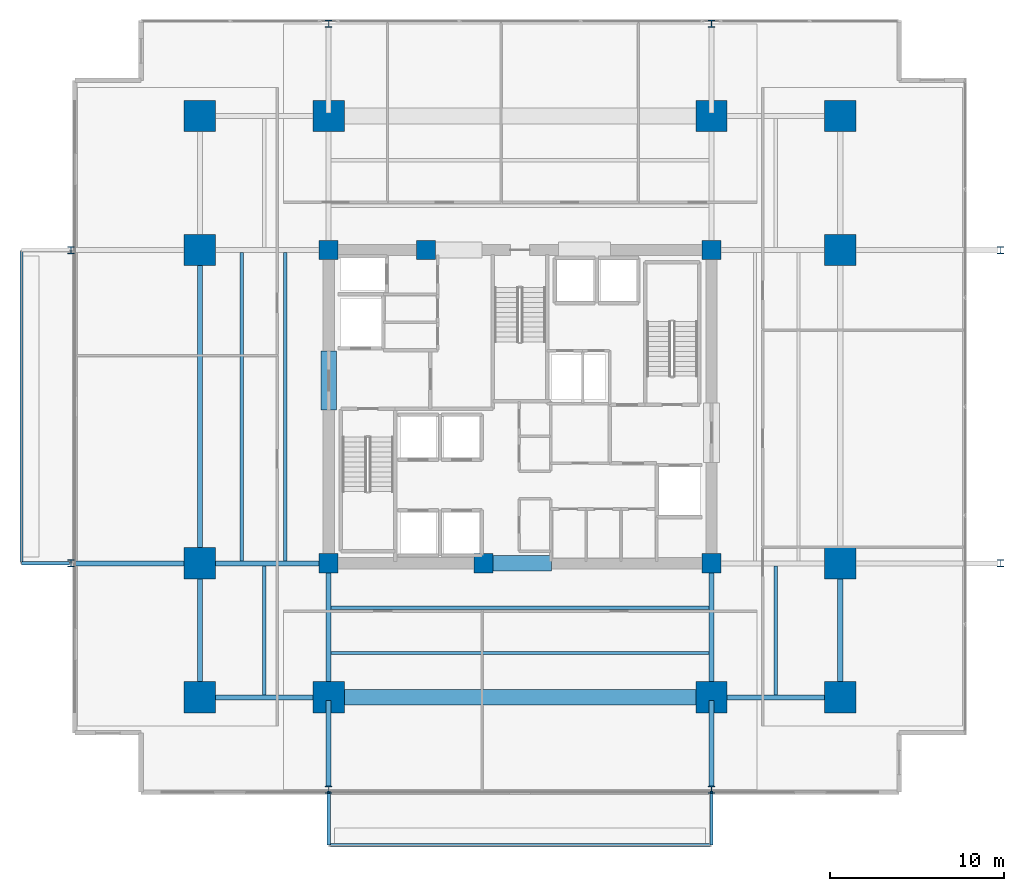
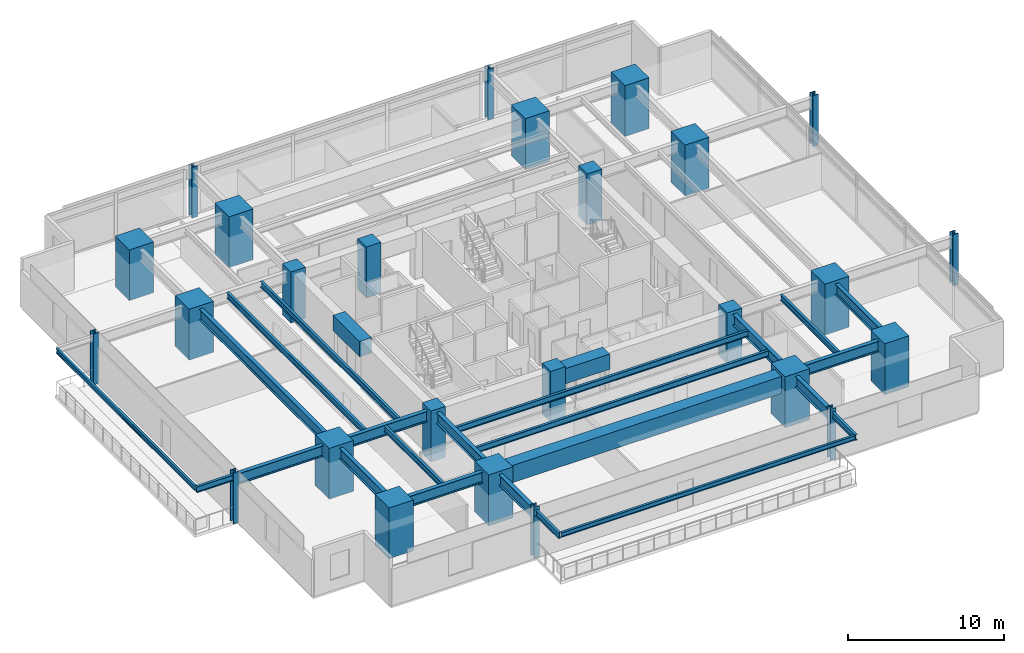
# One storey, part 1 of 22: 26 columns, 25 beams.
"""IFC4 building model written with IfcOpenShell, lengths in metres."""

from ifc_helpers import new_model, si_unit, direction, frame, origin, origin_2d, place, context, subcontext, project, spatial, rectangle, i_section, extrude, material, material_profile, profile_set, type_object, element, save


model = new_model("IFC4")

# Units and contexts
model_context = context("Model", 3, precision=1e-05, world=origin(), true_north=direction((0.0, 1.0)))
body_context = subcontext(model_context, "Body", "Model", "MODEL_VIEW")
ifc_project = project(units=[si_unit("LENGTHUNIT", "METRE"), si_unit("AREAUNIT", "SQUARE_METRE"), si_unit("VOLUMEUNIT", "CUBIC_METRE"), si_unit("PLANEANGLEUNIT", "RADIAN"), si_unit("MASSUNIT", "GRAM", prefix="KILO")], contexts=[model_context])

# Site, building, storey
site_placement = place(None, origin())
site = spatial("IfcSite", under=ifc_project, at=site_placement, CompositionType="ELEMENT")
building_placement = place(site_placement, origin())
building = spatial("IfcBuilding", under=site, at=building_placement, Name="Kovane Verandah Tower", CompositionType="ELEMENT")
storey_placement = place(building_placement, frame((0.0, 0.0, 51.60009765625)))
storey = spatial("IfcBuildingStorey", under=building, at=storey_placement, Name="L11", CompositionType="ELEMENT", Elevation=51.60009765625)

# Columns
ifc_material_1 = material(Name="Concrete C80/95", Category="concrete")
ifc_material_profile_1 = material_profile(ifc_material_1, rectangle(XDim=1.800048828125, YDim=1.800048828125, at=origin_2d()), Name="RC1800x1800")
ifc_profile_set_1 = profile_set([ifc_material_profile_1], Name="Concrete C80/95")
column_type_1 = type_object("IfcColumnType", Name="COL-RC1800", PredefinedType="COLUMN", material=ifc_profile_set_1)
for number, where, z_axis, x_axis, name in (
    (1, (29.0, 10.800048828125, 0.0), (0.0, 0.0, 1.0), (1.0, 0.0, 0.0), "L11 Tower Mega-Column MC-S1"),
    (2, (51.0, 10.800048828125, 0.0), (0.0, 0.0, 1.0), (1.0, 0.0, 0.0), "L11 Tower Mega-Column MC-S2"),
    (3, (29.0, 44.199951171875, 0.0), (0.0, 0.0, 1.0), (1.0, 0.0, 0.0), "L11 Tower Mega-Column MC-N1"),
    (4, (51.0, 44.199951171875, 0.0), (0.0, 0.0, 1.0), (1.0, 0.0, 0.0), "L11 Tower Mega-Column MC-N2"),
    (5, (21.60009765625, 18.5, 0.0), (0.0, 0.0, 1.0), (1.0, 0.0, 0.0), "L11 Tower Mega-Column MC-W1"),
    (6, (21.60009765625, 36.5, 0.0), (0.0, 0.0, 1.0), (1.0, 0.0, 0.0), "L11 Tower Mega-Column MC-W2"),
    (7, (58.39990234375, 18.5, 0.0), (0.0, 0.0, 1.0), (1.0, 0.0, 0.0), "L11 Tower Mega-Column MC-E1"),
    (8, (58.39990234375, 36.5, 0.0), (0.0, 0.0, 1.0), (1.0, 0.0, 0.0), "L11 Tower Mega-Column MC-E2"),
    (9, (21.60009765625, 10.800048828125, 0.0), (0.0, 0.0, 1.0), (1.0, 0.0, 0.0), "L11 Tower Mega-Column MC-SW"),
    (10, (58.39990234375, 10.800048828125, 0.0), (0.0, 0.0, 1.0), (1.0, 0.0, 0.0), "L11 Tower Mega-Column MC-SE"),
    (11, (21.60009765625, 44.199951171875, 0.0), (0.0, 0.0, 1.0), (1.0, 0.0, 0.0), "L11 Tower Mega-Column MC-NW"),
    (12, (58.39990234375, 44.199951171875, 0.0), (0.0, 0.0, 1.0), (1.0, 0.0, 0.0), "L11 Tower Mega-Column MC-NE"),
):
    element("IfcColumn", number, at=place(storey_placement, frame(where, z_axis=z_axis, x_axis=x_axis)), inside=storey, type_object=column_type_1, Name=name, PredefinedType="COLUMN", context=body_context, shape_type="SweptSolid", body=[
        extrude(rectangle(XDim=1.800048828125, YDim=1.800048828125, at=origin_2d()), origin(), (0.0, 0.0, 1.0), 4.0),
    ])
ifc_material_2 = material(Name="Steel S460", Category="steel")
ifc_material_profile_2 = material_profile(ifc_material_2, i_section(OverallWidth=0.412109375, OverallDepth=0.4365234375, WebThickness=0.035888671875, FlangeThickness=0.05810546875, FilletRadius=0.01513671875, at=origin_2d()), Name="UC356x406x467")
ifc_profile_set_2 = profile_set([ifc_material_profile_2], Name="Steel S460")
column_type_2 = type_object("IfcColumnType", Name="COL-UC467", PredefinedType="COLUMN", material=ifc_profile_set_2)
for number, where, z_axis, x_axis, name in (
    (13, (14.199951171875, 18.5, 0.0), (0.0, 0.0, 1.0), (1.0, 0.0, 0.0), "L11 Verandah Perimeter Column VC-W1"),
    (14, (14.199951171875, 36.5, 0.0), (0.0, 0.0, 1.0), (1.0, 0.0, 0.0), "L11 Verandah Perimeter Column VC-W2"),
    (15, (67.60009765625, 18.5, 0.0), (0.0, 0.0, 1.0), (1.0, 0.0, 0.0), "L11 Verandah Perimeter Column VC-E1"),
    (16, (67.60009765625, 36.5, 0.0), (0.0, 0.0, 1.0), (1.0, 0.0, 0.0), "L11 Verandah Perimeter Column VC-E2"),
    (17, (29.0, 5.5, 0.0), (0.0, 0.0, 1.0), (1.0, 0.0, 0.0), "L11 Verandah Perimeter Column VC-S1"),
    (18, (51.0, 5.5, 0.0), (0.0, 0.0, 1.0), (1.0, 0.0, 0.0), "L11 Verandah Perimeter Column VC-S2"),
    (19, (29.0, 49.5, 0.0), (0.0, 0.0, 1.0), (1.0, 0.0, 0.0), "L11 Verandah Perimeter Column VC-N1"),
    (20, (51.0, 49.5, 0.0), (0.0, 0.0, 1.0), (1.0, 0.0, 0.0), "L11 Verandah Perimeter Column VC-N2"),
):
    element("IfcColumn", number, at=place(storey_placement, frame(where, z_axis=z_axis, x_axis=x_axis)), inside=storey, type_object=column_type_2, Name=name, PredefinedType="COLUMN", context=body_context, shape_type="SweptSolid", body=[
        extrude(i_section(OverallWidth=0.412109375, OverallDepth=0.4365234375, WebThickness=0.035888671875, FlangeThickness=0.05810546875, FilletRadius=0.01513671875, at=origin_2d()), origin(), (0.0, 0.0, 1.0), 4.0),
    ])
ifc_material_profile_3 = material_profile(ifc_material_1, rectangle(XDim=1.10009765625, YDim=1.10009765625, at=origin_2d()), Name="RC1100x1100")
ifc_profile_set_3 = profile_set([ifc_material_profile_3], Name="Concrete C80/95")
column_type_3 = type_object("IfcColumnType", Name="PIL-RC1100", PredefinedType="PILASTER", material=ifc_profile_set_3)
for number, where, z_axis, x_axis, name in (
    (21, (29.0, 18.5, 0.0), (0.0, 0.0, 1.0), (1.0, 0.0, 0.0), "L11 Core Pilaster CP-SW"),
    (22, (51.0, 18.5, 0.0), (0.0, 0.0, 1.0), (1.0, 0.0, 0.0), "L11 Core Pilaster CP-SE"),
    (23, (29.0, 36.5, 0.0), (0.0, 0.0, 1.0), (1.0, 0.0, 0.0), "L11 Core Pilaster CP-NW"),
    (24, (51.0, 36.5, 0.0), (0.0, 0.0, 1.0), (1.0, 0.0, 0.0), "L11 Core Pilaster CP-NE"),
    (25, (37.89990234375, 18.5, 0.0), (0.0, 0.0, 1.0), (1.0, 0.0, 0.0), "L11 Core Pilaster CP-S"),
    (26, (34.60009765625, 36.5, 0.0), (0.0, 0.0, 1.0), (1.0, 0.0, 0.0), "L11 Core Pilaster CP-N"),
):
    element("IfcColumn", number, at=place(storey_placement, frame(where, z_axis=z_axis, x_axis=x_axis)), inside=storey, type_object=column_type_3, Name=name, PredefinedType="PILASTER", context=body_context, shape_type="SweptSolid", body=[
        extrude(rectangle(XDim=1.10009765625, YDim=1.10009765625, at=origin_2d()), origin(), (0.0, 0.0, 1.0), 4.0),
    ])

# Beams
ifc_material_profile_4 = material_profile(ifc_material_1, rectangle(XDim=0.89990234375, YDim=1.199951171875, at=origin_2d()), Name="RCB900x1200")
ifc_profile_set_4 = profile_set([ifc_material_profile_4], Name="Concrete C80/95")
beam_type_1 = type_object("IfcBeamType", Name="BM-LINTEL-900x1200", PredefinedType="LINTEL", material=ifc_profile_set_4)
beam_1_placement = place(storey_placement, frame((38.199951171875, 18.5, 3.159912109375), z_axis=(1.0, 0.0, 0.0), x_axis=(0.0, 1.0, 0.0)))
element("IfcBeam", 27, at=beam_1_placement, inside=storey, type_object=beam_type_1, Name="L11 Core Coupling Lintel CL-S", PredefinedType="LINTEL", context=body_context, shape_type="SweptSolid", body=[
    extrude(rectangle(XDim=0.89990234375, YDim=1.199951171875, at=origin_2d()), origin(), (0.0, 0.0, 1.0), 3.60009765625),
])
beam_2_placement = place(storey_placement, frame((29.0, 27.300048828125, 3.159912109375), z_axis=(0.0, 1.0, 0.0), x_axis=(-1.0, 0.0, 0.0)))
element("IfcBeam", 28, at=beam_2_placement, inside=storey, type_object=beam_type_1, Name="L11 Core Coupling Lintel CL-W", PredefinedType="LINTEL", context=body_context, shape_type="SweptSolid", body=[
    extrude(rectangle(XDim=0.89990234375, YDim=1.199951171875, at=origin_2d()), origin(), (0.0, 0.0, 1.0), 3.39990234375),
])
ifc_material_profile_5 = material_profile(ifc_material_1, rectangle(XDim=0.89990234375, YDim=1.35009765625, at=origin_2d()), Name="RCB900x1350")
ifc_profile_set_5 = profile_set([ifc_material_profile_5], Name="Concrete C80/95")
beam_type_2 = type_object("IfcBeamType", Name="BM-TR-900x1350", PredefinedType="BEAM", material=ifc_profile_set_5)
beam_3_placement = place(storey_placement, frame((29.179931640625, 10.800048828125, 3.0849609375), z_axis=(1.0, 0.0, 0.0), x_axis=(0.0, 1.0, 0.0)))
element("IfcBeam", 29, at=beam_3_placement, inside=storey, type_object=beam_type_2, Name="L11 Primary Tower Girder G-RS2", PredefinedType="BEAM", context=body_context, shape_type="SweptSolid", body=[
    extrude(rectangle(XDim=0.89990234375, YDim=1.35009765625, at=origin_2d()), origin(), (0.0, 0.0, 1.0), 21.64013671875),
])
ifc_material_3 = material(Name="Steel S355", Category="steel")
ifc_material_profile_6 = material_profile(ifc_material_3, i_section(OverallWidth=0.293701171875, OverallDepth=0.850830078125, WebThickness=0.01611328125, FlangeThickness=0.02685546875, FilletRadius=0.017822265625, at=origin_2d()), Name="UB838x292x226")
ifc_profile_set_6 = profile_set([ifc_material_profile_6], Name="Steel S355")
beam_type_3 = type_object("IfcBeamType", Name="BM-UB838x226", PredefinedType="BEAM", material=ifc_profile_set_6)
for number, where, z_axis, x_axis, name in (
    (30, (21.780029296875, 10.800048828125, 3.33447265625), (1.0, 0.0, 0.0), (0.0, 1.0, 0.0), "L11 Primary Tower Girder G-RS1"),
    (31, (51.179931640625, 10.800048828125, 3.33447265625), (1.0, 0.0, 0.0), (0.0, 1.0, 0.0), "L11 Primary Tower Girder G-RS3"),
):
    element("IfcBeam", number, at=place(storey_placement, frame(where, z_axis=z_axis, x_axis=x_axis)), inside=storey, type_object=beam_type_3, Name=name, PredefinedType="BEAM", context=body_context, shape_type="SweptSolid", body=[
        extrude(i_section(OverallWidth=0.293701171875, OverallDepth=0.850830078125, WebThickness=0.01611328125, FlangeThickness=0.02685546875, FilletRadius=0.017822265625, at=origin_2d()), origin(), (0.0, 0.0, 1.0), 7.0400390625),
    ])
beam_4_placement = place(storey_placement, frame((21.60009765625, 10.97998046875, 3.33447265625), z_axis=(0.0, 1.0, 0.0), x_axis=(-1.0, 0.0, 0.0)))
element("IfcBeam", 32, at=beam_4_placement, inside=storey, type_object=beam_type_3, Name="L11 Primary Tower Girder G-RW1", PredefinedType="BEAM", context=body_context, shape_type="SweptSolid", body=[
    extrude(i_section(OverallWidth=0.293701171875, OverallDepth=0.850830078125, WebThickness=0.01611328125, FlangeThickness=0.02685546875, FilletRadius=0.017822265625, at=origin_2d()), origin(), (0.0, 0.0, 1.0), 7.340087890625),
])
beam_5_placement = place(storey_placement, frame((21.60009765625, 18.679931640625, 3.33447265625), z_axis=(0.0, 1.0, 0.0), x_axis=(-1.0, 0.0, 0.0)))
element("IfcBeam", 33, at=beam_5_placement, inside=storey, type_object=beam_type_3, Name="L11 Primary Tower Girder G-RW2", PredefinedType="BEAM", context=body_context, shape_type="SweptSolid", body=[
    extrude(i_section(OverallWidth=0.293701171875, OverallDepth=0.850830078125, WebThickness=0.01611328125, FlangeThickness=0.02685546875, FilletRadius=0.017822265625, at=origin_2d()), origin(), (0.0, 0.0, 1.0), 17.64013671875),
])
beam_6_placement = place(storey_placement, frame((58.39990234375, 10.97998046875, 3.33447265625), z_axis=(0.0, 1.0, 0.0), x_axis=(-1.0, 0.0, 0.0)))
element("IfcBeam", 34, at=beam_6_placement, inside=storey, type_object=beam_type_3, Name="L11 Primary Tower Girder G-RE1", PredefinedType="BEAM", context=body_context, shape_type="SweptSolid", body=[
    extrude(i_section(OverallWidth=0.293701171875, OverallDepth=0.850830078125, WebThickness=0.01611328125, FlangeThickness=0.02685546875, FilletRadius=0.017822265625, at=origin_2d()), origin(), (0.0, 0.0, 1.0), 7.340087890625),
])
beam_7_placement = place(storey_placement, frame((28.820068359375, 18.5, 3.33447265625), z_axis=(-1.0, 0.0, 0.0), x_axis=(0.0, -1.0, 0.0)))
element("IfcBeam", 35, at=beam_7_placement, inside=storey, type_object=beam_type_3, Name="L11 Primary Tower Girder G-W1", PredefinedType="BEAM", context=body_context, shape_type="SweptSolid", body=[
    extrude(i_section(OverallWidth=0.293701171875, OverallDepth=0.850830078125, WebThickness=0.01611328125, FlangeThickness=0.02685546875, FilletRadius=0.017822265625, at=origin_2d()), origin(), (0.0, 0.0, 1.0), 7.0400390625),
])
for number, where, z_axis, x_axis, name in (
    (36, (29.0, 18.320068359375, 3.33447265625), (0.0, -1.0, 0.0), (1.0, 0.0, 0.0), "L11 Primary Tower Girder G-S1"),
    (37, (51.0, 18.320068359375, 3.33447265625), (0.0, -1.0, 0.0), (1.0, 0.0, 0.0), "L11 Primary Tower Girder G-S2"),
):
    element("IfcBeam", number, at=place(storey_placement, frame(where, z_axis=z_axis, x_axis=x_axis)), inside=storey, type_object=beam_type_3, Name=name, PredefinedType="BEAM", context=body_context, shape_type="SweptSolid", body=[
        extrude(i_section(OverallWidth=0.293701171875, OverallDepth=0.850830078125, WebThickness=0.01611328125, FlangeThickness=0.02685546875, FilletRadius=0.017822265625, at=origin_2d()), origin(), (0.0, 0.0, 1.0), 7.340087890625),
    ])
beam_8_placement = place(storey_placement, frame((21.419921875, 18.5, 3.33447265625), z_axis=(-1.0, 0.0, 0.0), x_axis=(0.0, -1.0, 0.0)))
element("IfcBeam", 38, at=beam_8_placement, inside=storey, type_object=beam_type_3, Name="L11 Primary Tower Girder G-VW1", PredefinedType="BEAM", context=body_context, shape_type="SweptSolid", body=[
    extrude(i_section(OverallWidth=0.293701171875, OverallDepth=0.850830078125, WebThickness=0.01611328125, FlangeThickness=0.02685546875, FilletRadius=0.017822265625, at=origin_2d()), origin(), (0.0, 0.0, 1.0), 7.0400390625),
])
for number, where, z_axis, x_axis, name in (
    (39, (29.0, 10.6201171875, 3.33447265625), (0.0, -1.0, 0.0), (1.0, 0.0, 0.0), "L11 Primary Tower Girder G-VS1"),
    (40, (51.0, 10.6201171875, 3.33447265625), (0.0, -1.0, 0.0), (1.0, 0.0, 0.0), "L11 Primary Tower Girder G-VS2"),
):
    element("IfcBeam", number, at=place(storey_placement, frame(where, z_axis=z_axis, x_axis=x_axis)), inside=storey, type_object=beam_type_3, Name=name, PredefinedType="BEAM", context=body_context, shape_type="SweptSolid", body=[
        extrude(i_section(OverallWidth=0.293701171875, OverallDepth=0.850830078125, WebThickness=0.01611328125, FlangeThickness=0.02685546875, FilletRadius=0.017822265625, at=origin_2d()), origin(), (0.0, 0.0, 1.0), 4.940185546875),
    ])
ifc_material_profile_7 = material_profile(ifc_material_3, i_section(OverallWidth=0.19287109375, OverallDepth=0.46728515625, WebThickness=0.011474609375, FlangeThickness=0.01953125, FilletRadius=0.01025390625, at=origin_2d()), Name="UB457x191x98")
ifc_profile_set_7 = profile_set([ifc_material_profile_7], Name="Steel S355")
beam_type_4 = type_object("IfcBeamType", Name="JST-UB457x98", PredefinedType="JOIST", material=ifc_profile_set_7)
for number, where, z_axis, x_axis, name in (
    (41, (29.14501953125, 13.35009765625, 3.5263671875), (1.0, 0.0, 0.0), (0.0, 1.0, 0.0), "L11 Secondary Composite Joist J-S1"),
    (42, (29.14501953125, 15.949951171875, 3.5263671875), (1.0, 0.0, 0.0), (0.0, 1.0, 0.0), "L11 Secondary Composite Joist J-S2"),
):
    element("IfcBeam", number, at=place(storey_placement, frame(where, z_axis=z_axis, x_axis=x_axis)), inside=storey, type_object=beam_type_4, Name=name, PredefinedType="JOIST", context=body_context, shape_type="SweptSolid", body=[
        extrude(i_section(OverallWidth=0.19287109375, OverallDepth=0.46728515625, WebThickness=0.011474609375, FlangeThickness=0.01953125, FilletRadius=0.01025390625, at=origin_2d()), origin(), (0.0, 0.0, 1.0), 21.7099609375),
    ])
for number, where, z_axis, x_axis, name in (
    (43, (24.0, 18.64501953125, 3.5263671875), (0.0, 1.0, 0.0), (-1.0, 0.0, 0.0), "L11 Secondary Composite Joist J-W1"),
    (44, (26.5, 18.64501953125, 3.5263671875), (0.0, 1.0, 0.0), (-1.0, 0.0, 0.0), "L11 Secondary Composite Joist J-W2"),
):
    element("IfcBeam", number, at=place(storey_placement, frame(where, z_axis=z_axis, x_axis=x_axis)), inside=storey, type_object=beam_type_4, Name=name, PredefinedType="JOIST", context=body_context, shape_type="SweptSolid", body=[
        extrude(i_section(OverallWidth=0.19287109375, OverallDepth=0.46728515625, WebThickness=0.011474609375, FlangeThickness=0.01953125, FilletRadius=0.01025390625, at=origin_2d()), origin(), (0.0, 0.0, 1.0), 17.7099609375),
    ])
for number, where, z_axis, x_axis, name in (
    (45, (25.300048828125, 10.94482421875, 3.5263671875), (0.0, 1.0, 0.0), (-1.0, 0.0, 0.0), "L11 Secondary Composite Joist J-SW1"),
    (46, (54.699951171875, 10.94482421875, 3.5263671875), (0.0, 1.0, 0.0), (-1.0, 0.0, 0.0), "L11 Secondary Composite Joist J-SE1"),
):
    element("IfcBeam", number, at=place(storey_placement, frame(where, z_axis=z_axis, x_axis=x_axis)), inside=storey, type_object=beam_type_4, Name=name, PredefinedType="JOIST", context=body_context, shape_type="SweptSolid", body=[
        extrude(i_section(OverallWidth=0.19287109375, OverallDepth=0.46728515625, WebThickness=0.011474609375, FlangeThickness=0.01953125, FilletRadius=0.01025390625, at=origin_2d()), origin(), (0.0, 0.0, 1.0), 7.41015625),
    ])
for number, where, z_axis, x_axis, name in (
    (47, (29.0, 5.419921875, 3.5263671875), (0.0, -1.0, 0.0), (1.0, 0.0, 0.0), "L11 South Planter Girder 1"),
    (48, (51.0, 5.419921875, 3.5263671875), (0.0, -1.0, 0.0), (1.0, 0.0, 0.0), "L11 South Planter Girder 2"),
):
    element("IfcBeam", number, at=place(storey_placement, frame(where, z_axis=z_axis, x_axis=x_axis)), inside=storey, type_object=beam_type_4, Name=name, PredefinedType="JOIST", context=body_context, shape_type="SweptSolid", body=[
        extrude(i_section(OverallWidth=0.19287109375, OverallDepth=0.46728515625, WebThickness=0.011474609375, FlangeThickness=0.01953125, FilletRadius=0.01025390625, at=origin_2d()), origin(), (0.0, 0.0, 1.0), 3.09716796875),
    ])
beam_9_placement = place(storey_placement, frame((14.1201171875, 18.5, 3.5263671875), z_axis=(-1.0, 0.0, 0.0), x_axis=(0.0, -1.0, 0.0)))
element("IfcBeam", 49, at=beam_9_placement, inside=storey, type_object=beam_type_4, Name="L11 West Planter Girder 1", PredefinedType="JOIST", context=body_context, shape_type="SweptSolid", body=[
    extrude(i_section(OverallWidth=0.19287109375, OverallDepth=0.46728515625, WebThickness=0.011474609375, FlangeThickness=0.01953125, FilletRadius=0.01025390625, at=origin_2d()), origin(), (0.0, 0.0, 1.0), 2.76611328125),
])
ifc_material_profile_8 = material_profile(ifc_material_3, i_section(OverallWidth=0.173095703125, OverallDepth=0.36328125, WebThickness=0.009033203125, FlangeThickness=0.015625, FilletRadius=0.01025390625, at=origin_2d()), Name="UB356x171x67")
ifc_profile_set_8 = profile_set([ifc_material_profile_8], Name="Steel S355")
beam_type_5 = type_object("IfcBeamType", Name="SPD-UB356x67", PredefinedType="USERDEFINED", material=ifc_profile_set_8)
beam_10_placement = place(storey_placement, frame((29.094482421875, 2.32275390625, 3.578125), z_axis=(1.0, 0.0, 0.0), x_axis=(0.0, 1.0, 0.0)))
element("IfcBeam", 50, at=beam_10_placement, inside=storey, type_object=beam_type_5, Name="L11 South Planter Edge Spandrel", ObjectType="SPANDREL", PredefinedType="USERDEFINED", context=body_context, shape_type="SweptSolid", body=[
    extrude(i_section(OverallWidth=0.173095703125, OverallDepth=0.36328125, WebThickness=0.009033203125, FlangeThickness=0.015625, FilletRadius=0.01025390625, at=origin_2d()), origin(), (0.0, 0.0, 1.0), 21.81103515625),
])
beam_11_placement = place(storey_placement, frame((11.35400390625, 18.594482421875, 3.578125), z_axis=(0.0, 1.0, 0.0), x_axis=(-1.0, 0.0, 0.0)))
element("IfcBeam", 51, at=beam_11_placement, inside=storey, type_object=beam_type_5, Name="L11 West Planter Edge Spandrel", ObjectType="SPANDREL", PredefinedType="USERDEFINED", context=body_context, shape_type="SweptSolid", body=[
    extrude(i_section(OverallWidth=0.173095703125, OverallDepth=0.36328125, WebThickness=0.009033203125, FlangeThickness=0.015625, FilletRadius=0.01025390625, at=origin_2d()), origin(), (0.0, 0.0, 1.0), 17.81103515625),
])

save(model, "model.ifc")
